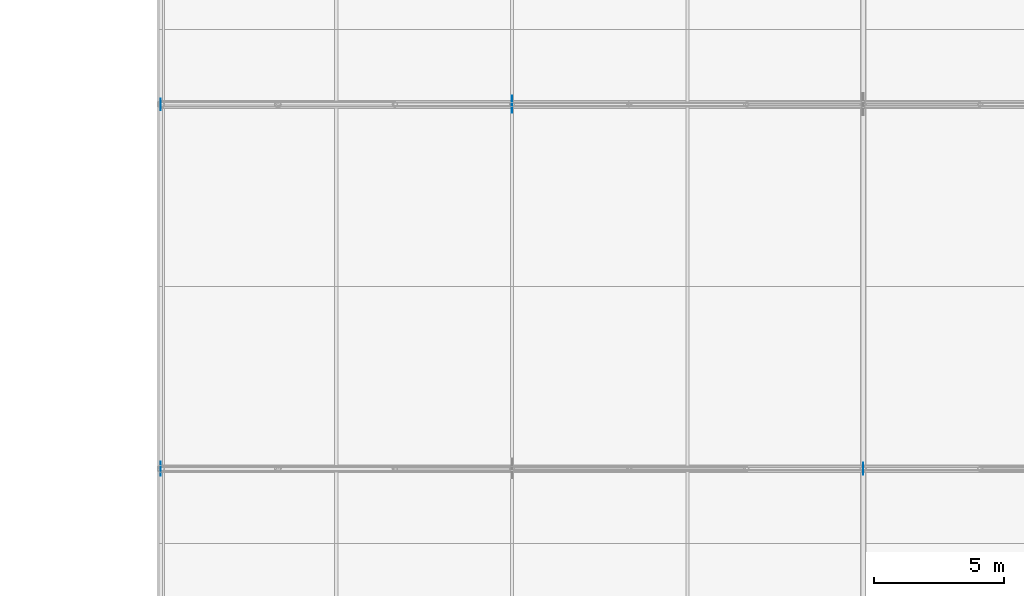
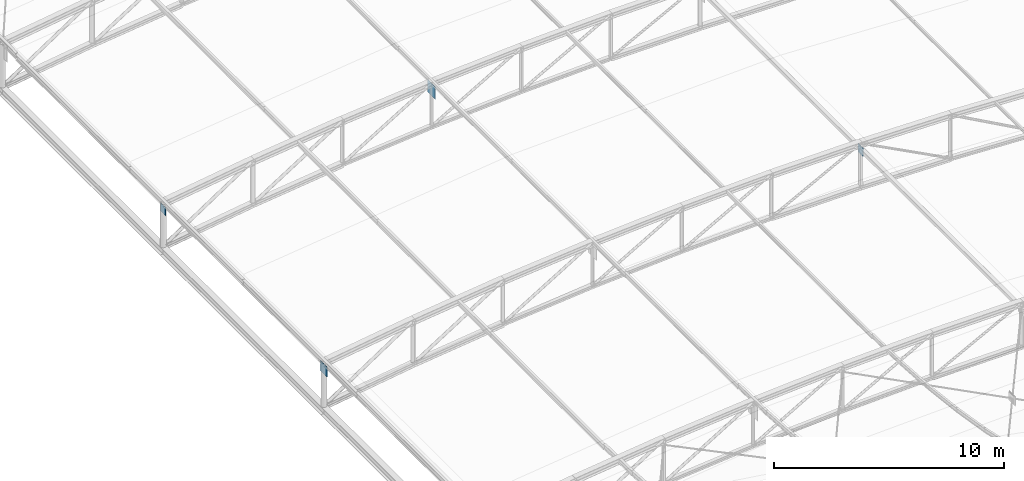
# One storey, part 254 of 262: 4 plates.
"""IFC4 building model written with IfcOpenShell, lengths in metres."""

from ifc_helpers import new_model, si_unit, derived_unit, direction, frame, origin, origin_2d, place, context, subcontext, project, spatial, rectangle, extrude, material, layer, layer_set, type_object, element, save


model = new_model("IFC4")

# Units and contexts
model_context = context("Model", 3, precision=1e-05, world=origin(), true_north=direction((0.0, 1.0)))
body_context = subcontext(model_context, "Body", "Model", "MODEL_VIEW")
ifc_project = project(units=[si_unit("LENGTHUNIT", "METRE"), si_unit("AREAUNIT", "SQUARE_METRE"), si_unit("VOLUMEUNIT", "CUBIC_METRE"), si_unit("PLANEANGLEUNIT", "RADIAN"), si_unit("MASSUNIT", "GRAM", prefix="KILO"), derived_unit("THERMALTRANSMITTANCEUNIT", [(si_unit("POWERUNIT", "WATT"), 1), (si_unit("LENGTHUNIT", "METRE"), -2), (si_unit("THERMODYNAMICTEMPERATUREUNIT", "KELVIN"), -1)])], contexts=[model_context])

# Site, building, storey
site_placement = place(None, origin())
site = spatial("IfcSite", under=ifc_project, at=site_placement, CompositionType="ELEMENT")
building_placement = place(site_placement, origin())
building = spatial("IfcBuilding", under=site, at=building_placement, Name="Almenara Railside Exhibition Hall", CompositionType="ELEMENT")
storey_placement = place(building_placement, frame((0.0, 0.0, 21.699951171875)))
storey = spatial("IfcBuildingStorey", under=building, at=storey_placement, Name="RF", CompositionType="ELEMENT", Elevation=21.699951171875)

# Plates
ifc_material = material(Name="Structural steel S355JR", Category="steel")
ifc_layer_1 = layer(ifc_material, 0.011962890625, Name="Structural steel S355JR")
ifc_layer_set_1 = layer_set([ifc_layer_1], Name="Structural steel S355JR")
plate_type_1 = type_object("IfcPlateType", Name="Truss Node Gusset Plate 12mm S355JR", PredefinedType="USERDEFINED", material=ifc_layer_set_1)
for number, where, z_axis, x_axis, name in (
    (1, (165.0, 76.0, -5.6748046875), (0.0, 0.0, 1.0), (0.0, 1.0, 0.0), "PLT-GUS-0130"),
    (2, (138.0, 90.0, -7.875), (0.0, 0.0, 1.0), (0.0, 1.0, 0.0), "PLT-GUS-0133"),
):
    element("IfcPlate", number, at=place(storey_placement, frame(where, z_axis=z_axis, x_axis=x_axis)), inside=storey, type_object=plate_type_1, Name=name, ObjectType="GUSSET_PLATE", PredefinedType="USERDEFINED", context=body_context, shape_type="SweptSolid", body=[
        extrude(rectangle(XDim=0.449951171875, YDim=0.011962890625, at=origin_2d()), origin(), (0.0, 0.0, 1.0), 0.449951171875),
    ])
ifc_layer_2 = layer(ifc_material, 0.01611328125, Name="Structural steel S355JR")
ifc_layer_set_2 = layer_set([ifc_layer_2], Name="Structural steel S355JR")
plate_type_2 = type_object("IfcPlateType", Name="Truss Node Gusset Plate 16mm S355JR", PredefinedType="USERDEFINED", material=ifc_layer_set_2)
plate_1_placement = place(storey_placement, frame((138.0, 76.0, -7.9248046875), z_axis=(0.0, 0.0, 1.0), x_axis=(0.0, 1.0, 0.0)))
element("IfcPlate", 3, at=plate_1_placement, inside=storey, type_object=plate_type_2, Name="PLT-GUS-0128", ObjectType="GUSSET_PLATE", PredefinedType="USERDEFINED", context=body_context, shape_type="SweptSolid", body=[
    extrude(rectangle(XDim=0.550048828125, YDim=0.01611328125, at=origin_2d()), origin(), (0.0, 0.0, 1.0), 0.550048828125),
])
ifc_layer_3 = layer(ifc_material, 0.02001953125, Name="Structural steel S355JR")
ifc_layer_set_3 = layer_set([ifc_layer_3], Name="Structural steel S355JR")
plate_type_3 = type_object("IfcPlateType", Name="Truss Node Gusset Plate 20mm S355JR", PredefinedType="USERDEFINED", material=ifc_layer_set_3)
plate_2_placement = place(storey_placement, frame((151.5, 90.0, -6.324951171875), z_axis=(0.0, 0.0, 1.0), x_axis=(0.0, 1.0, 0.0)))
element("IfcPlate", 4, at=plate_2_placement, inside=storey, type_object=plate_type_3, Name="PLT-GUS-0134", ObjectType="GUSSET_PLATE", PredefinedType="USERDEFINED", context=body_context, shape_type="SweptSolid", body=[
    extrude(rectangle(XDim=0.64990234375, YDim=0.02001953125, at=origin_2d()), origin(), (0.0, 0.0, 1.0), 0.64990234375),
])

save(model, "model.ifc")
